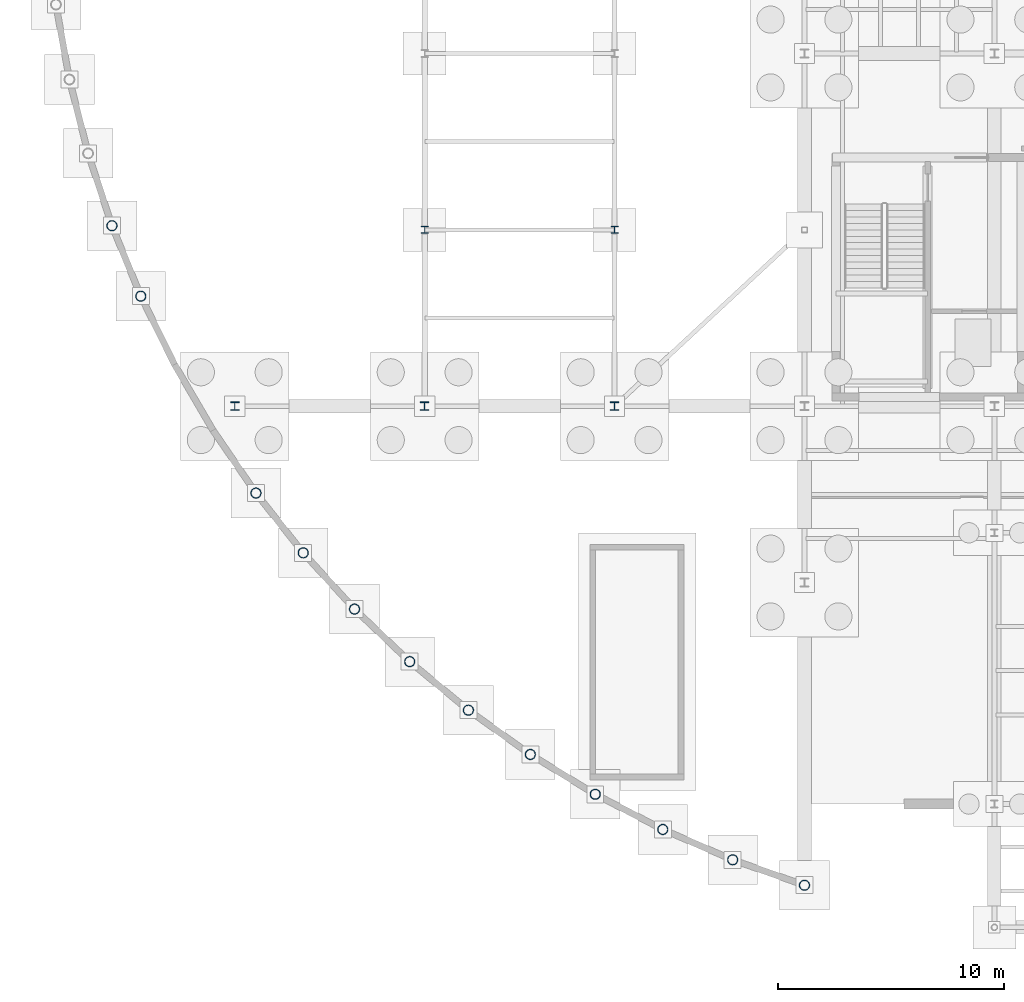
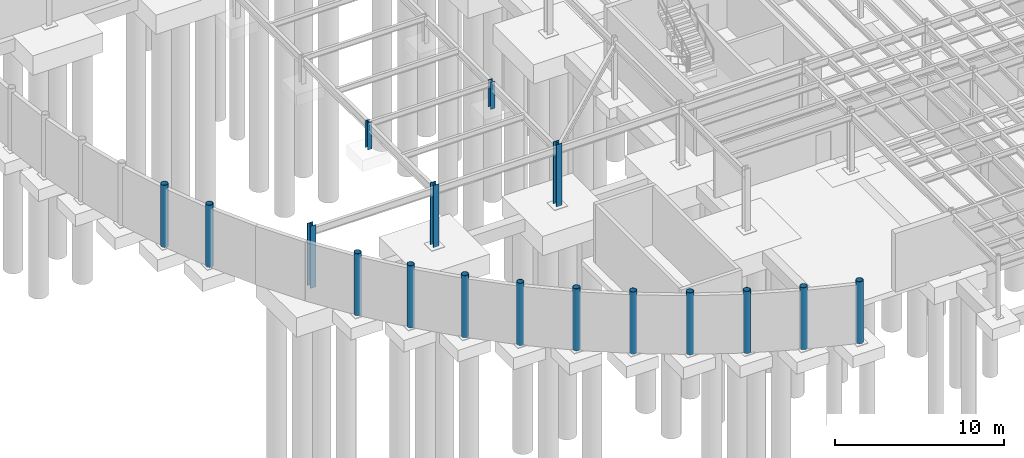
# One storey, part 6 of 41: 17 columns.
"""IFC4 building model written with IfcOpenShell, lengths in metres."""

from ifc_helpers import new_model, si_unit, direction, frame, origin, origin_2d, place, context, subcontext, project, spatial, hollow_circle, i_section, extrude, material, material_profile, profile_set, type_object, element, save


model = new_model("IFC4")

# Units and contexts
model_context = context("Model", 3, precision=1e-05, world=origin(), true_north=direction((0.0, 1.0)))
body_context = subcontext(model_context, "Body", "Model", "MODEL_VIEW")
ifc_project = project(units=[si_unit("LENGTHUNIT", "METRE"), si_unit("AREAUNIT", "SQUARE_METRE"), si_unit("VOLUMEUNIT", "CUBIC_METRE"), si_unit("PLANEANGLEUNIT", "RADIAN"), si_unit("MASSUNIT", "GRAM", prefix="KILO")], contexts=[model_context])

# Site, building, storey
site_placement = place(None, origin())
site = spatial("IfcSite", under=ifc_project, at=site_placement, CompositionType="ELEMENT")
building_placement = place(site_placement, origin())
building = spatial("IfcBuilding", under=site, at=building_placement, Name="Selat Folded Stagehouse", CompositionType="ELEMENT")
storey_placement = place(building_placement, frame((0.0, 0.0, -4.5)))
storey = spatial("IfcBuildingStorey", under=building, at=storey_placement, Name="B1", CompositionType="ELEMENT", Elevation=-4.5)

# Columns
ifc_material = material(Name="Steel S355", Category="steel")
ifc_material_profile_1 = material_profile(ifc_material, hollow_circle(Radius=0.228515625, WallThickness=0.02001953125, at=origin_2d()), Name="CHS 457.0x20.0")
ifc_profile_set_1 = profile_set([ifc_material_profile_1], Name="Steel S355")
column_type_1 = type_object("IfcColumnType", Name="COL-CHS-457x20", PredefinedType="COLUMN", material=ifc_profile_set_1)
for number, where, z_axis, x_axis, name in (
    (1, (2.967529296875, 31.38427734375, 0.0), (0.0, 0.0, 1.0), (1.0, 0.0, 0.0), "B1 column STK-DRM-07"),
    (2, (4.243896484375, 28.266357421875, 0.0), (0.0, 0.0, 1.0), (1.0, 0.0, 0.0), "B1 column STK-DRM-08"),
    (3, (9.336181640625, 19.55517578125, 0.0), (0.0, 0.0, 1.0), (1.0, 0.0, 0.0), "B1 column STK-DRM-11"),
    (4, (11.4267578125, 16.9130859375, 0.0), (0.0, 0.0, 1.0), (1.0, 0.0, 0.0), "B1 column STK-DRM-12"),
    (5, (13.697509765625, 14.42431640625, 0.0), (0.0, 0.0, 1.0), (1.0, 0.0, 0.0), "B1 column STK-DRM-13"),
    (6, (16.136962890625, 12.100830078125, 0.0), (0.0, 0.0, 1.0), (1.0, 0.0, 0.0), "B1 column STK-DRM-14"),
    (7, (18.733642578125, 9.954345703125, 0.0), (0.0, 0.0, 1.0), (1.0, 0.0, 0.0), "B1 column STK-DRM-15"),
    (8, (21.474365234375, 7.9951171875, 0.0), (0.0, 0.0, 1.0), (1.0, 0.0, 0.0), "B1 column STK-DRM-16"),
    (9, (24.345703125, 6.23291015625, 0.0), (0.0, 0.0, 1.0), (1.0, 0.0, 0.0), "B1 column STK-DRM-17"),
    (10, (27.333740234375, 4.6767578125, 0.0), (0.0, 0.0, 1.0), (1.0, 0.0, 0.0), "B1 column STK-DRM-18"),
    (11, (30.423583984375, 3.333740234375, 0.0), (0.0, 0.0, 1.0), (1.0, 0.0, 0.0), "B1 column STK-DRM-19"),
    (12, (33.60009765625, 2.2109375, 0.0), (0.0, 0.0, 1.0), (1.0, 0.0, 0.0), "B1 column STK-DRM-20"),
):
    element("IfcColumn", number, at=place(storey_placement, frame(where, z_axis=z_axis, x_axis=x_axis)), inside=storey, type_object=column_type_1, Name=name, PredefinedType="COLUMN", context=body_context, shape_type="SweptSolid", body=[
        extrude(hollow_circle(Radius=0.228515625, WallThickness=0.02001953125, at=origin_2d()), origin(), (0.0, 0.0, 1.0), 4.5),
    ])
ifc_material_profile_2 = material_profile(ifc_material, i_section(OverallWidth=0.30908203125, OverallDepth=0.320556640625, WebThickness=0.013916015625, FlangeThickness=0.021728515625, FilletRadius=0.01513671875, at=origin_2d()), Name="UKC 305x305x137")
ifc_profile_set_2 = profile_set([ifc_material_profile_2], Name="Steel S355")
column_type_2 = type_object("IfcColumnType", Name="COL-UKC-305x305x137", PredefinedType="COLUMN", material=ifc_profile_set_2)
for number, where, z_axis, x_axis, name in (
    (13, (16.800048828125, 31.199951171875, 2.300048828125), (0.0, 0.0, 1.0), (1.0, 0.0, 0.0), "B1 V1 sub-tier column 168-312"),
    (14, (25.199951171875, 31.199951171875, 2.300048828125), (0.0, 0.0, 1.0), (1.0, 0.0, 0.0), "B1 V1 sub-tier column 252-312"),
):
    element("IfcColumn", number, at=place(storey_placement, frame(where, z_axis=z_axis, x_axis=x_axis)), inside=storey, type_object=column_type_2, Name=name, PredefinedType="COLUMN", context=body_context, shape_type="SweptSolid", body=[
        extrude(i_section(OverallWidth=0.30908203125, OverallDepth=0.320556640625, WebThickness=0.013916015625, FlangeThickness=0.021728515625, FilletRadius=0.01513671875, at=origin_2d()), origin(), (0.0, 0.0, 1.0), 1.949951171875),
    ])
ifc_material_profile_3 = material_profile(ifc_material, i_section(OverallWidth=0.374755859375, OverallDepth=0.37451171875, WebThickness=0.0166015625, FlangeThickness=0.027099609375, FilletRadius=0.01513671875, at=origin_2d()), Name="UKC 356x368x202")
ifc_profile_set_3 = profile_set([ifc_material_profile_3], Name="Steel S355")
column_type_3 = type_object("IfcColumnType", Name="COL-UKC-356x368x202", PredefinedType="COLUMN", material=ifc_profile_set_3)
for number, where, z_axis, x_axis, name in (
    (15, (8.39990234375, 23.39990234375, 0.0), (0.0, 0.0, 1.0), (1.0, 0.0, 0.0), "B1 column STK-V2-00"),
    (16, (16.800048828125, 23.39990234375, 0.0), (0.0, 0.0, 1.0), (1.0, 0.0, 0.0), "B1 column STK-V2-01"),
    (17, (25.199951171875, 23.39990234375, 0.0), (0.0, 0.0, 1.0), (1.0, 0.0, 0.0), "B1 column STK-V2-02"),
):
    element("IfcColumn", number, at=place(storey_placement, frame(where, z_axis=z_axis, x_axis=x_axis)), inside=storey, type_object=column_type_3, Name=name, PredefinedType="COLUMN", context=body_context, shape_type="SweptSolid", body=[
        extrude(i_section(OverallWidth=0.374755859375, OverallDepth=0.37451171875, WebThickness=0.0166015625, FlangeThickness=0.027099609375, FilletRadius=0.01513671875, at=origin_2d()), origin(), (0.0, 0.0, 1.0), 4.5),
    ])

save(model, "model.ifc")
